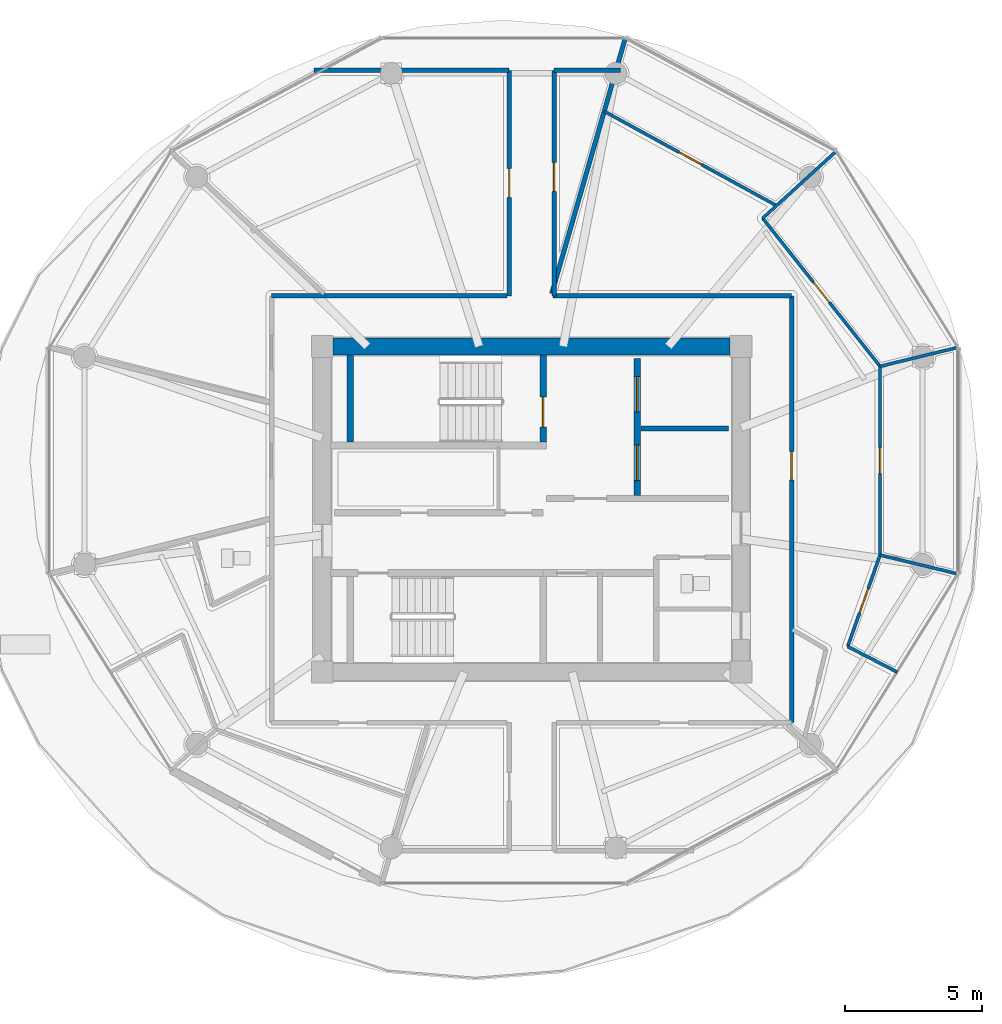
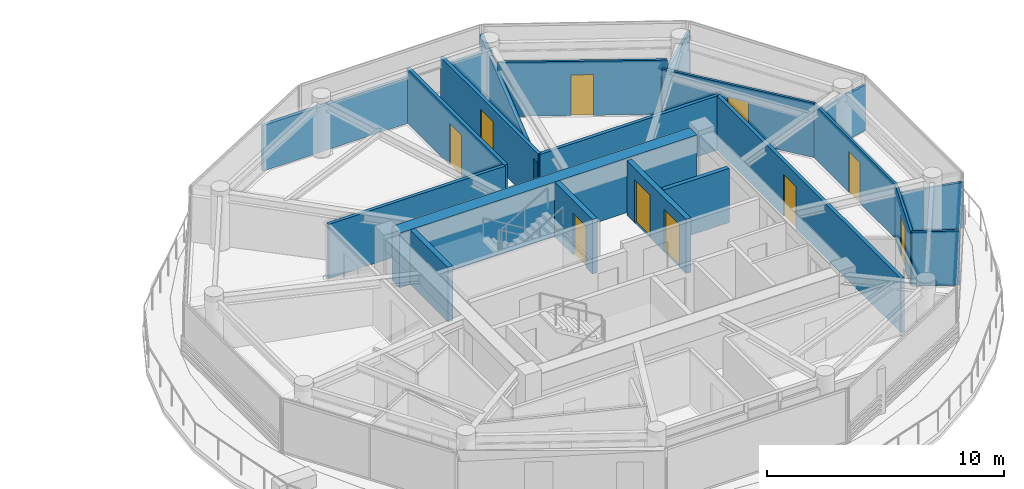
# One storey, part 17 of 28: 21 walls, 10 doors, 10 openings.
"""IFC4 building model written with IfcOpenShell, lengths in metres."""

from ifc_helpers import new_model, si_unit, direction, frame, frame_2d, origin, place, context, subcontext, project, spatial, rectangle, extrude, source, transform, mapped, material, layer, layer_set, type_object, type_shapes, element, fill, save


model = new_model("IFC4")

# Units and contexts
model_context = context("Model", 3, precision=1e-05, world=origin(), true_north=direction((0.0, 1.0)))
body_context = subcontext(model_context, "Body", "Model", "MODEL_VIEW")
ifc_project = project(units=[si_unit("LENGTHUNIT", "METRE"), si_unit("AREAUNIT", "SQUARE_METRE"), si_unit("VOLUMEUNIT", "CUBIC_METRE"), si_unit("PLANEANGLEUNIT", "RADIAN"), si_unit("MASSUNIT", "GRAM", prefix="KILO")], contexts=[model_context])

# Site, building, storey
site_placement = place(None, origin())
site = spatial("IfcSite", under=ifc_project, at=site_placement, CompositionType="ELEMENT")
building_placement = place(site_placement, origin())
building = spatial("IfcBuilding", under=site, at=building_placement, Name="Norrkilde Senior Care Towers", CompositionType="ELEMENT")
storey_placement = place(building_placement, frame((0.0, 0.0, 134.300048828125)))
storey = spatial("IfcBuildingStorey", under=building, at=storey_placement, Name="L41", CompositionType="ELEMENT", Elevation=134.300048828125)

# Walls
ifc_material_1 = material(Name="Concrete C50/60", Category="concrete")
ifc_layer_1 = layer(ifc_material_1, 0.6201171875)
ifc_layer_set_1 = layer_set([ifc_layer_1], Name="Concrete C50/60")
wall_type_1 = type_object("IfcWallType", Name="Core Shear Wall Z3 620", PredefinedType="SHEAR", material=ifc_layer_set_1)
shared_shape_1 = source(origin(), body_context, "Body", "SweptSolid", [
    extrude(rectangle(XDim=14.5, YDim=0.6201171875, at=frame_2d((7.25, 0.0))), origin(), (0.0, 0.0, 1.0), 2.81005859375),
])
type_shapes(wall_type_1, [shared_shape_1])
wall_1_placement = place(storey_placement, frame((20.75, 5.949951171875, 0.0), z_axis=(0.0, 0.0, 1.0), x_axis=(1.0, 0.0, 0.0)))
element("IfcWall", 1, at=wall_1_placement, inside=storey, type_object=wall_type_1, Name="L41 Core E North Shear Wall", PredefinedType="SHEAR", context=body_context, shape_type="MappedRepresentation", body=[
    mapped(shared_shape_1, transform((0.0, 0.0, 0.0), x_axis=(1.0, 0.0, 0.0), y_axis=(0.0, 1.0, 0.0), z_axis=(0.0, 0.0, 1.0), scale=1.0)),
])
ifc_material_2 = material(Name="Concrete C45/55", Category="concrete")
ifc_layer_2 = layer(ifc_material_2, 0.239990234375)
ifc_layer_set_2 = layer_set([ifc_layer_2], Name="Concrete C45/55")
wall_type_2 = type_object("IfcWallType", Name="Shaft and Stair Enclosure Wall 240", PredefinedType="PARTITIONING", material=ifc_layer_set_2)
shared_shape_2 = source(origin(), body_context, "Body", "SweptSolid", [
    extrude(rectangle(XDim=3.18994140625, YDim=0.239990234375, at=frame_2d((1.594970703125, 0.0))), origin(), (0.0, 0.0, 1.0), 2.81005859375),
])
type_shapes(wall_type_2, [shared_shape_2])
wall_2_placement = place(storey_placement, frame((21.3798828125, 2.449951171875, 0.0), z_axis=(0.0, 0.0, 1.0), x_axis=(0.0, 1.0, 0.0)))
element("IfcWall", 2, at=wall_2_placement, inside=storey, type_object=wall_type_2, Name="WL-INT-L41-E-ST1W", PredefinedType="PARTITIONING", context=body_context, shape_type="MappedRepresentation", body=[
    mapped(shared_shape_2, transform((0.0, 0.0, 0.0), x_axis=(1.0, 0.0, 0.0), y_axis=(0.0, 1.0, 0.0), z_axis=(0.0, 0.0, 1.0), scale=1.0)),
])

# Wall, opening, door
wall_3_placement = place(storey_placement, frame((28.419921875, 2.449951171875, 0.0), z_axis=(0.0, 0.0, 1.0), x_axis=(0.0, 1.0, 0.0)))
wall_3 = element("IfcWall", 3, at=wall_3_placement, inside=storey, type_object=wall_type_2, Name="WL-INT-L41-E-ST1E", PredefinedType="PARTITIONING", context=body_context, shape_type="MappedRepresentation", body=[
    mapped(shared_shape_2, transform((0.0, 0.0, 0.0), x_axis=(1.0, 0.0, 0.0), y_axis=(0.0, 1.0, 0.0), z_axis=(0.0, 0.0, 1.0), scale=1.0)),
])
opening_1_placement = place(wall_3_placement, frame((0.550048828125, 0.0, 0.0)))
opening_1 = element("IfcOpeningElement", 4, at=opening_1_placement, cuts=wall_3, Name="Opening D-03", PredefinedType="OPENING", context=body_context, shape_type="SweptSolid", body=[
    extrude(rectangle(XDim=1.10009765625, YDim=2.14990234375, at=frame_2d((0.550048828125, 1.074951171875))), frame((0.0, 0.1298828125, 0.0), z_axis=(0.0, -1.0, 0.0), x_axis=(1.0, 0.0, 0.0)), (0.0, 0.0, 1.0), 0.260009765625),
])
ifc_material_3 = material(Name="Galvanised Painted Steel", Category="steel")
door_type_1 = type_object("IfcDoorType", Name="Stairwell Protected Fire Door 1100x2150", OperationType="NOTDEFINED", PredefinedType="DOOR", material=ifc_material_3)
shared_shape_3 = source(origin(), body_context, "Body", "SweptSolid", [
    extrude(rectangle(XDim=1.10009765625, YDim=2.14990234375, at=frame_2d((0.550048828125, 1.074951171875))), frame((0.0, 0.02490234375, 0.0), z_axis=(0.0, -1.0, 0.0), x_axis=(1.0, 0.0, 0.0)), (0.0, 0.0, 1.0), 0.050048828125),
])
type_shapes(door_type_1, [shared_shape_3])
door_1_placement = place(opening_1_placement, origin())
door_1 = element("IfcDoor", 5, at=door_1_placement, inside=storey, type_object=door_type_1, Name="L41 Stair E1 Fire Door", OperationType="SINGLE_SWING_LEFT", OverallHeight=2.14990234375, OverallWidth=1.10009765625, PredefinedType="DOOR", context=body_context, shape_type="MappedRepresentation", body=[
    mapped(shared_shape_3, transform((0.0, 0.0, 0.0), x_axis=(1.0, 0.0, 0.0), y_axis=(0.0, 1.0, 0.0), z_axis=(0.0, 0.0, 1.0), scale=1.0)),
])
fill(opening_1, door_1)

# Wall, openings, doors
ifc_layer_3 = layer(ifc_material_2, 0.239990234375)
ifc_layer_set_3 = layer_set([ifc_layer_3], Name="Concrete C45/55")
wall_type_3 = type_object("IfcWallType", Name="Lift and Plant Rated Enclosure Partition 240", PredefinedType="PARTITIONING", material=ifc_layer_set_3)
shared_shape_4 = source(origin(), body_context, "Body", "SweptSolid", [
    extrude(rectangle(XDim=5.0, YDim=0.239990234375, at=frame_2d((2.5, 0.0))), origin(), (0.0, 0.0, 1.0), 2.794921875),
])
type_shapes(wall_type_3, [shared_shape_4])
wall_4_placement = place(storey_placement, frame((31.860107421875, 0.5, 0.0), z_axis=(0.0, 0.0, 1.0), x_axis=(0.0, 1.0, 0.0)))
wall_4 = element("IfcWall", 6, at=wall_4_placement, inside=storey, type_object=wall_type_3, Name="WL-INT-L41-E-FFLE", PredefinedType="PARTITIONING", context=body_context, shape_type="MappedRepresentation", body=[
    mapped(shared_shape_4, transform((0.0, 0.0, 0.0), x_axis=(1.0, 0.0, 0.0), y_axis=(0.0, 1.0, 0.0), z_axis=(0.0, 0.0, 1.0), scale=1.0)),
])
opening_2_placement = place(wall_4_placement, frame((3.050048828125, 0.0, 0.0)))
opening_2 = element("IfcOpeningElement", 7, at=opening_2_placement, cuts=wall_4, Name="Opening LD-02", PredefinedType="OPENING", context=body_context, shape_type="SweptSolid", body=[
    extrude(rectangle(XDim=1.300048828125, YDim=2.199951171875, at=frame_2d((0.64990234375, 1.10009765625))), frame((0.0, 0.1298828125, 0.0), z_axis=(0.0, -1.0, 0.0), x_axis=(1.0, 0.0, 0.0)), (0.0, 0.0, 1.0), 0.260009765625),
])
opening_3_placement = place(wall_4_placement, frame((0.550048828125, 0.0, 0.0)))
opening_3 = element("IfcOpeningElement", 8, at=opening_3_placement, cuts=wall_4, Name="Opening LD-02", PredefinedType="OPENING", context=body_context, shape_type="SweptSolid", body=[
    extrude(rectangle(XDim=1.300048828125, YDim=2.199951171875, at=frame_2d((0.64990234375, 1.10009765625))), frame((0.0, 0.1298828125, 0.0), z_axis=(0.0, -1.0, 0.0), x_axis=(1.0, 0.0, 0.0)), (0.0, 0.0, 1.0), 0.260009765625),
])
ifc_material_4 = material(Name="Stainless Steel", Category="steel")
door_type_2 = type_object("IfcDoorType", Name="Stretcher and FFL Landing Sliding Door 1300x2200", OperationType="NOTDEFINED", PredefinedType="DOOR", material=ifc_material_4)
shared_shape_5 = source(origin(), body_context, "Body", "SweptSolid", [
    extrude(rectangle(XDim=1.300048828125, YDim=2.199951171875, at=frame_2d((0.64990234375, 1.10009765625))), frame((0.0, 0.02490234375, 0.0), z_axis=(0.0, -1.0, 0.0), x_axis=(1.0, 0.0, 0.0)), (0.0, 0.0, 1.0), 0.050048828125),
])
type_shapes(door_type_2, [shared_shape_5])
door_2_placement = place(opening_2_placement, origin())
door_2 = element("IfcDoor", 9, at=door_2_placement, inside=storey, type_object=door_type_2, Name="L41 Firefighting Lift E1 Landing Door", OperationType="SLIDING_TO_LEFT", OverallHeight=2.199951171875, OverallWidth=1.300048828125, PredefinedType="DOOR", context=body_context, shape_type="MappedRepresentation", body=[
    mapped(shared_shape_5, transform((0.0, 0.0, 0.0), x_axis=(1.0, 0.0, 0.0), y_axis=(0.0, 1.0, 0.0), z_axis=(0.0, 0.0, 1.0), scale=1.0)),
])
fill(opening_2, door_2)
door_3_placement = place(opening_3_placement, origin())
door_3 = element("IfcDoor", 10, at=door_3_placement, inside=storey, type_object=door_type_2, Name="L41 Stretcher Lift E1 Landing Door", OperationType="SLIDING_TO_RIGHT", OverallHeight=2.199951171875, OverallWidth=1.300048828125, PredefinedType="DOOR", context=body_context, shape_type="MappedRepresentation", body=[
    mapped(shared_shape_5, transform((0.0, 0.0, 0.0), x_axis=(1.0, 0.0, 0.0), y_axis=(0.0, 1.0, 0.0), z_axis=(0.0, 0.0, 1.0), scale=1.0)),
])
fill(opening_3, door_3)

# Walls
ifc_layer_4 = layer(ifc_material_2, 0.199951171875)
ifc_layer_set_4 = layer_set([ifc_layer_4], Name="Concrete C45/55")
wall_type_4 = type_object("IfcWallType", Name="Shaft Division and Plant Partition 200", PredefinedType="PARTITIONING", material=ifc_layer_set_4)
shared_shape_6 = source(origin(), body_context, "Body", "SweptSolid", [
    extrude(rectangle(XDim=3.199951171875, YDim=0.199951171875, at=frame_2d((1.60009765625, 0.0))), origin(), (0.0, 0.0, 1.0), 2.794921875),
])
type_shapes(wall_type_4, [shared_shape_6])
wall_5_placement = place(storey_placement, frame((32.0, 2.949951171875, 0.0), z_axis=(0.0, 0.0, 1.0), x_axis=(1.0, 0.0, 0.0)))
element("IfcWall", 11, at=wall_5_placement, inside=storey, type_object=wall_type_4, Name="WL-INT-L41-E-FFLDIV", PredefinedType="PARTITIONING", context=body_context, shape_type="MappedRepresentation", body=[
    mapped(shared_shape_6, transform((0.0, 0.0, 0.0), x_axis=(1.0, 0.0, 0.0), y_axis=(0.0, 1.0, 0.0), z_axis=(0.0, 0.0, 1.0), scale=1.0)),
])
ifc_material_5 = material(Name="Gypsum Acoustic Board")
ifc_layer_5 = layer(ifc_material_5, 0.1650390625)
ifc_layer_set_5 = layer_set([ifc_layer_5], Name="Gypsum Acoustic Board")
wall_type_5 = type_object("IfcWallType", Name="Corridor Rated Partition 165", PredefinedType="PARTITIONING", material=ifc_layer_set_5)
shared_shape_7 = source(origin(), body_context, "Body", "SweptSolid", [
    extrude(rectangle(XDim=8.60009765625, YDim=0.1650390625, at=frame_2d((4.300048828125, 0.0))), origin(), (0.0, 0.0, 1.0), 2.794921875),
])
wall_6_placement = place(storey_placement, frame((18.5, 7.800048828125, 0.0), z_axis=(0.0, 0.0, 1.0), x_axis=(1.0, 0.0, 0.0)))
element("IfcWall", 12, at=wall_6_placement, inside=storey, type_object=wall_type_5, Name="WL-INT-L41-E-CRW-N-0", PredefinedType="PARTITIONING", context=body_context, shape_type="MappedRepresentation", body=[
    mapped(shared_shape_7, transform((0.0, 0.0, 0.0), x_axis=(1.0, 0.0, 0.0), y_axis=(0.0, 1.0, 0.0), z_axis=(0.0, 0.0, 1.0), scale=1.0)),
])

# Wall, opening, door
shared_shape_8 = source(origin(), body_context, "Body", "SweptSolid", [
    extrude(rectangle(XDim=15.60009765625, YDim=0.1650390625, at=frame_2d((7.800048828125, 0.0))), origin(), (0.0, 0.0, 1.0), 2.794921875),
])
wall_7_placement = place(storey_placement, frame((37.5, 7.800048828125, 0.0), z_axis=(0.0, 0.0, 1.0), x_axis=(0.0, -1.0, 0.0)))
wall_7 = element("IfcWall", 13, at=wall_7_placement, inside=storey, type_object=wall_type_5, Name="WL-INT-L41-E-CRW-E-0", PredefinedType="PARTITIONING", context=body_context, shape_type="MappedRepresentation", body=[
    mapped(shared_shape_8, transform((0.0, 0.0, 0.0), x_axis=(1.0, 0.0, 0.0), y_axis=(0.0, 1.0, 0.0), z_axis=(0.0, 0.0, 1.0), scale=1.0)),
])
opening_4_placement = place(wall_7_placement, frame((5.6865234375, 0.0, 0.0)))
opening_4 = element("IfcOpeningElement", 14, at=opening_4_placement, cuts=wall_7, Name="Opening D-06", PredefinedType="OPENING", context=body_context, shape_type="SweptSolid", body=[
    extrude(rectangle(XDim=1.050048828125, YDim=2.14990234375, at=frame_2d((0.52490234375, 1.074951171875))), frame((0.0, 0.092529296875, 0.0), z_axis=(0.0, -1.0, 0.0), x_axis=(1.0, 0.0, 0.0)), (0.0, 0.0, 1.0), 0.18505859375),
])
ifc_material_6 = material(Name="Nordic Ash Timber", Category="wood")
door_type_3 = type_object("IfcDoorType", Name="Apartment Entrance Fire Door 1050x2150", OperationType="NOTDEFINED", PredefinedType="DOOR", material=ifc_material_6)
shared_shape_9 = source(origin(), body_context, "Body", "SweptSolid", [
    extrude(rectangle(XDim=1.050048828125, YDim=2.14990234375, at=frame_2d((0.52490234375, 1.074951171875))), frame((0.0, 0.02490234375, 0.0), z_axis=(0.0, -1.0, 0.0), x_axis=(1.0, 0.0, 0.0)), (0.0, 0.0, 1.0), 0.050048828125),
])
type_shapes(door_type_3, [shared_shape_9])
door_4_placement = place(opening_4_placement, frame((1.050048828125, 0.0, 0.0), z_axis=(0.0, 0.0, 1.0), x_axis=(-1.0, 0.0, 0.0)))
door_4 = element("IfcDoor", 15, at=door_4_placement, inside=storey, type_object=door_type_3, Name="Apartment 41D Entrance Door", OperationType="SINGLE_SWING_LEFT", OverallHeight=2.14990234375, OverallWidth=1.050048828125, PredefinedType="DOOR", context=body_context, shape_type="MappedRepresentation", body=[
    mapped(shared_shape_9, transform((0.0, 0.0, 0.0), x_axis=(1.0, 0.0, 0.0), y_axis=(0.0, 1.0, 0.0), z_axis=(0.0, 0.0, 1.0), scale=1.0)),
])
fill(opening_4, door_4)

# Wall
shared_shape_10 = source(origin(), body_context, "Body", "SweptSolid", [
    extrude(rectangle(XDim=9.73046875, YDim=0.1650390625, at=frame_2d((4.865234375, 0.0))), origin(), (0.0, 0.0, 1.0), 2.344970703125),
])
wall_8_placement = place(storey_placement, frame((28.7333984375, 7.8798828125, 0.0), z_axis=(0.0, 0.0, 1.0), x_axis=(0.27679492614, 0.960929013436, 0.0)))
element("IfcWall", 16, at=wall_8_placement, inside=storey, type_object=wall_type_5, Name="WL-INT-L41-E-DEM-02-0", PredefinedType="PARTITIONING", context=body_context, shape_type="MappedRepresentation", body=[
    mapped(shared_shape_10, transform((0.0, 0.0, 0.0), x_axis=(1.0, 0.0, 0.0), y_axis=(0.0, 1.0, 0.0), z_axis=(0.0, 0.0, 1.0), scale=1.0)),
])

# Wall, opening, door
shared_shape_11 = source(origin(), body_context, "Body", "SweptSolid", [
    extrude(rectangle(XDim=8.2353515625, YDim=0.1650390625, at=frame_2d((4.11767578125, 0.0))), origin(), (0.0, 0.0, 1.0), 2.794921875),
])
wall_9_placement = place(storey_placement, frame((27.179931640625, 7.800048828125, 0.0), z_axis=(0.0, 0.0, 1.0), x_axis=(0.0, 1.0, 0.0)))
wall_9 = element("IfcWall", 17, at=wall_9_placement, inside=storey, type_object=wall_type_5, Name="WL-INT-L41-E-PKW-NWL", PredefinedType="PARTITIONING", context=body_context, shape_type="MappedRepresentation", body=[
    mapped(shared_shape_11, transform((0.0, 0.0, 0.0), x_axis=(1.0, 0.0, 0.0), y_axis=(0.0, 1.0, 0.0), z_axis=(0.0, 0.0, 1.0), scale=1.0)),
])
opening_5_placement = place(wall_9_placement, frame((3.5927734375, 0.0, 0.0)))
opening_5 = element("IfcOpeningElement", 18, at=opening_5_placement, cuts=wall_9, Name="Opening D-06", PredefinedType="OPENING", context=body_context, shape_type="SweptSolid", body=[
    extrude(rectangle(XDim=1.050048828125, YDim=2.14990234375, at=frame_2d((0.52490234375, 1.074951171875))), frame((0.0, 0.092529296875, 0.0), z_axis=(0.0, -1.0, 0.0), x_axis=(1.0, 0.0, 0.0)), (0.0, 0.0, 1.0), 0.18505859375),
])
door_5_placement = place(opening_5_placement, frame((1.050048828125, 0.0, 0.0), z_axis=(0.0, 0.0, 1.0), x_axis=(-1.0, 0.0, 0.0)))
door_5 = element("IfcDoor", 19, at=door_5_placement, inside=storey, type_object=door_type_3, Name="L41 Reading Lounge NWL Door", OperationType="SINGLE_SWING_RIGHT", OverallHeight=2.14990234375, OverallWidth=1.050048828125, PredefinedType="DOOR", context=body_context, shape_type="MappedRepresentation", body=[
    mapped(shared_shape_9, transform((0.0, 0.0, 0.0), x_axis=(1.0, 0.0, 0.0), y_axis=(0.0, 1.0, 0.0), z_axis=(0.0, 0.0, 1.0), scale=1.0)),
])
fill(opening_5, door_5)

wall_10_placement = place(storey_placement, frame((28.820068359375, 7.800048828125, 0.0), z_axis=(0.0, 0.0, 1.0), x_axis=(0.0, 1.0, 0.0)))
wall_10 = element("IfcWall", 20, at=wall_10_placement, inside=storey, type_object=wall_type_5, Name="WL-INT-L41-E-PKW-NEL", PredefinedType="PARTITIONING", context=body_context, shape_type="MappedRepresentation", body=[
    mapped(shared_shape_11, transform((0.0, 0.0, 0.0), x_axis=(1.0, 0.0, 0.0), y_axis=(0.0, 1.0, 0.0), z_axis=(0.0, 0.0, 1.0), scale=1.0)),
])
opening_6_placement = place(wall_10_placement, frame((3.81298828125, 0.0, 0.0)))
opening_6 = element("IfcOpeningElement", 21, at=opening_6_placement, cuts=wall_10, Name="Opening D-06", PredefinedType="OPENING", context=body_context, shape_type="SweptSolid", body=[
    extrude(rectangle(XDim=1.050048828125, YDim=2.14990234375, at=frame_2d((0.52490234375, 1.074951171875))), frame((0.0, 0.092529296875, 0.0), z_axis=(0.0, -1.0, 0.0), x_axis=(1.0, 0.0, 0.0)), (0.0, 0.0, 1.0), 0.18505859375),
])
door_6_placement = place(opening_6_placement, frame((1.050048828125, 0.0, 0.0), z_axis=(0.0, 0.0, 1.0), x_axis=(-1.0, 0.0, 0.0)))
door_6 = element("IfcDoor", 22, at=door_6_placement, inside=storey, type_object=door_type_3, Name="L41 Reading Lounge NEL Door", OperationType="SINGLE_SWING_RIGHT", OverallHeight=2.14990234375, OverallWidth=1.050048828125, PredefinedType="DOOR", context=body_context, shape_type="MappedRepresentation", body=[
    mapped(shared_shape_9, transform((0.0, 0.0, 0.0), x_axis=(1.0, 0.0, 0.0), y_axis=(0.0, 1.0, 0.0), z_axis=(0.0, 0.0, 1.0), scale=1.0)),
])
fill(opening_6, door_6)

# Walls
shared_shape_12 = source(origin(), body_context, "Body", "SweptSolid", [
    extrude(rectangle(XDim=2.418701171875, YDim=0.1650390625, at=frame_2d((1.20947265625, 0.0))), origin(), (0.0, 0.0, 1.0), 2.344970703125),
])
wall_11_placement = place(storey_placement, frame((28.820068359375, 16.035400390625, 0.0), z_axis=(0.0, 0.0, 1.0), x_axis=(1.0, 0.0, 0.0)))
element("IfcWall", 23, at=wall_11_placement, inside=storey, type_object=wall_type_5, Name="WL-INT-L41-E-PKH-NEL-0", PredefinedType="PARTITIONING", context=body_context, shape_type="MappedRepresentation", body=[
    mapped(shared_shape_12, transform((0.0, 0.0, 0.0), x_axis=(1.0, 0.0, 0.0), y_axis=(0.0, 1.0, 0.0), z_axis=(0.0, 0.0, 1.0), scale=1.0)),
])
shared_shape_13 = source(origin(), body_context, "Body", "SweptSolid", [
    extrude(rectangle(XDim=7.138916015625, YDim=0.1650390625, at=frame_2d((3.5693359375, 0.0))), origin(), (0.0, 0.0, 1.0), 2.344970703125),
])
wall_12_placement = place(storey_placement, frame((20.041015625, 16.035400390625, 0.0), z_axis=(0.0, 0.0, 1.0), x_axis=(1.0, 0.0, 0.0)))
element("IfcWall", 24, at=wall_12_placement, inside=storey, type_object=wall_type_5, Name="WL-INT-L41-E-PKH-NWL-0", PredefinedType="PARTITIONING", context=body_context, shape_type="MappedRepresentation", body=[
    mapped(shared_shape_13, transform((0.0, 0.0, 0.0), x_axis=(1.0, 0.0, 0.0), y_axis=(0.0, 1.0, 0.0), z_axis=(0.0, 0.0, 1.0), scale=1.0)),
])
shared_shape_14 = source(origin(), body_context, "Body", "SweptSolid", [
    extrude(rectangle(XDim=8.719482421875, YDim=0.1650390625, at=frame_2d((4.35986328125, 0.0))), origin(), (0.0, 0.0, 1.0), 2.794921875),
])
type_shapes(wall_type_5, [shared_shape_7, shared_shape_8, shared_shape_10, shared_shape_11, shared_shape_12, shared_shape_13, shared_shape_14])
wall_13_placement = place(storey_placement, frame((28.780517578125, 7.800048828125, 0.0), z_axis=(0.0, 0.0, 1.0), x_axis=(1.0, 0.0, 0.0)))
element("IfcWall", 25, at=wall_13_placement, inside=storey, type_object=wall_type_5, Name="WL-INT-L41-E-CRW-N-1", PredefinedType="PARTITIONING", context=body_context, shape_type="MappedRepresentation", body=[
    mapped(shared_shape_14, transform((0.0, 0.0, 0.0), x_axis=(1.0, 0.0, 0.0), y_axis=(0.0, 1.0, 0.0), z_axis=(0.0, 0.0, 1.0), scale=1.0)),
])

# Wall, opening, door
ifc_layer_6 = layer(ifc_material_5, 0.114990234375)
ifc_layer_set_6 = layer_set([ifc_layer_6], Name="Gypsum Acoustic Board")
wall_type_6 = type_object("IfcWallType", Name="Internal Room Partition 115", PredefinedType="PARTITIONING", material=ifc_layer_set_6)
shared_shape_15 = source(origin(), body_context, "Body", "SweptSolid", [
    extrude(rectangle(XDim=6.89697265625, YDim=0.114990234375, at=frame_2d((3.448486328125, 0.0))), origin(), (0.0, 0.0, 1.0), 2.794921875),
])
wall_14_placement = place(storey_placement, frame((40.73046875, -1.673095703125, 0.0), z_axis=(0.0, 0.0, 1.0), x_axis=(0.0, 1.0, 0.0)))
wall_14 = element("IfcWall", 26, at=wall_14_placement, inside=storey, type_object=wall_type_6, Name="WL-INT-L41-E-UBC-10-1", PredefinedType="PARTITIONING", context=body_context, shape_type="MappedRepresentation", body=[
    mapped(shared_shape_15, transform((0.0, 0.0, 0.0), x_axis=(1.0, 0.0, 0.0), y_axis=(0.0, 1.0, 0.0), z_axis=(0.0, 0.0, 1.0), scale=1.0)),
])
opening_7_placement = place(wall_14_placement, frame((2.973388671875, 0.0, 0.0)))
opening_7 = element("IfcOpeningElement", 27, at=opening_7_placement, cuts=wall_14, Name="Opening D-07", PredefinedType="OPENING", context=body_context, shape_type="SweptSolid", body=[
    extrude(rectangle(XDim=0.949951171875, YDim=2.10009765625, at=frame_2d((0.47509765625, 1.050048828125))), frame((0.0, 0.0673828125, 0.0), z_axis=(0.0, -1.0, 0.0), x_axis=(1.0, 0.0, 0.0)), (0.0, 0.0, 1.0), 0.135009765625),
])
door_type_4 = type_object("IfcDoorType", Name="Internal Suite Bedroom Door 950x2100", OperationType="NOTDEFINED", PredefinedType="DOOR", material=ifc_material_6)
shared_shape_16 = source(origin(), body_context, "Body", "SweptSolid", [
    extrude(rectangle(XDim=0.949951171875, YDim=2.10009765625, at=frame_2d((0.47509765625, 1.050048828125))), frame((0.0, 0.02490234375, 0.0), z_axis=(0.0, -1.0, 0.0), x_axis=(1.0, 0.0, 0.0)), (0.0, 0.0, 1.0), 0.050048828125),
])
type_shapes(door_type_4, [shared_shape_16])
door_7_placement = place(opening_7_placement, origin())
door_7 = element("IfcDoor", 28, at=door_7_placement, inside=storey, type_object=door_type_4, Name="Apartment 41D Bedroom 1 Door", OperationType="SINGLE_SWING_RIGHT", OverallHeight=2.10009765625, OverallWidth=0.949951171875, PredefinedType="DOOR", context=body_context, shape_type="MappedRepresentation", body=[
    mapped(shared_shape_16, transform((0.0, 0.0, 0.0), x_axis=(1.0, 0.0, 0.0), y_axis=(0.0, 1.0, 0.0), z_axis=(0.0, 0.0, 1.0), scale=1.0)),
])
fill(opening_7, door_7)

# Wall
shared_shape_17 = source(origin(), body_context, "Body", "SweptSolid", [
    extrude(rectangle(XDim=2.941162109375, YDim=0.114990234375, at=frame_2d((1.470703125, 0.0))), origin(), (0.0, 0.0, 1.0), 2.344970703125),
])
wall_15_placement = place(storey_placement, frame((40.73046875, -1.673095703125, 0.0), z_axis=(0.0, 0.0, 1.0), x_axis=(0.971874866371, -0.235497864357, 0.0)))
element("IfcWall", 29, at=wall_15_placement, inside=storey, type_object=wall_type_6, Name="WL-INT-L41-E-UBR-10-1", PredefinedType="PARTITIONING", context=body_context, shape_type="MappedRepresentation", body=[
    mapped(shared_shape_17, transform((0.0, 0.0, 0.0), x_axis=(1.0, 0.0, 0.0), y_axis=(0.0, 1.0, 0.0), z_axis=(0.0, 0.0, 1.0), scale=1.0)),
])

# Wall, opening, door
shared_shape_18 = source(origin(), body_context, "Body", "SweptSolid", [
    extrude(rectangle(XDim=6.902099609375, YDim=0.114990234375, at=frame_2d((3.451171875, 0.0))), origin(), (0.0, 0.0, 1.0), 2.794921875),
])
wall_16_placement = place(storey_placement, frame((40.72900390625, 5.223388671875, 0.0), z_axis=(0.0, 0.0, 1.0), x_axis=(-0.62123371778, 0.783625336429, 0.0)))
wall_16 = element("IfcWall", 30, at=wall_16_placement, inside=storey, type_object=wall_type_6, Name="WL-INT-L41-E-UBC-10-2", PredefinedType="PARTITIONING", context=body_context, shape_type="MappedRepresentation", body=[
    mapped(shared_shape_18, transform((0.0, 0.0, 0.0), x_axis=(1.0, 0.0, 0.0), y_axis=(0.0, 1.0, 0.0), z_axis=(0.0, 0.0, 1.0), scale=1.0)),
])
opening_8_placement = place(wall_16_placement, frame((2.97607421875, 0.0, 0.0)))
opening_8 = element("IfcOpeningElement", 31, at=opening_8_placement, cuts=wall_16, Name="Opening D-07", PredefinedType="OPENING", context=body_context, shape_type="SweptSolid", body=[
    extrude(rectangle(XDim=0.949951171875, YDim=2.10009765625, at=frame_2d((0.47509765625, 1.050048828125))), frame((0.0, 0.0673828125, 0.0), z_axis=(0.0, -1.0, 0.0), x_axis=(1.0, 0.0, 0.0)), (0.0, 0.0, 1.0), 0.135009765625),
])
door_8_placement = place(opening_8_placement, frame((0.949951171875, 0.0, 0.0), z_axis=(0.0, 0.0, 1.0), x_axis=(-1.0, 0.0, 0.0)))
door_8 = element("IfcDoor", 32, at=door_8_placement, inside=storey, type_object=door_type_4, Name="Apartment 41D Bedroom 2 Door", OperationType="SINGLE_SWING_LEFT", OverallHeight=2.10009765625, OverallWidth=0.949951171875, PredefinedType="DOOR", context=body_context, shape_type="MappedRepresentation", body=[
    mapped(shared_shape_16, transform((0.0, 0.0, 0.0), x_axis=(1.0, 0.0, 0.0), y_axis=(0.0, 1.0, 0.0), z_axis=(0.0, 0.0, 1.0), scale=1.0)),
])
fill(opening_8, door_8)

# Wall
shared_shape_19 = source(origin(), body_context, "Body", "SweptSolid", [
    extrude(rectangle(XDim=2.942626953125, YDim=0.114990234375, at=frame_2d((1.47119140625, 0.0))), origin(), (0.0, 0.0, 1.0), 2.344970703125),
])
wall_17_placement = place(storey_placement, frame((40.72900390625, 5.223388671875, 0.0), z_axis=(0.0, 0.0, 1.0), x_axis=(0.971864495214, 0.235540660911, 0.0)))
element("IfcWall", 33, at=wall_17_placement, inside=storey, type_object=wall_type_6, Name="WL-INT-L41-E-UBR-10-2", PredefinedType="PARTITIONING", context=body_context, shape_type="MappedRepresentation", body=[
    mapped(shared_shape_19, transform((0.0, 0.0, 0.0), x_axis=(1.0, 0.0, 0.0), y_axis=(0.0, 1.0, 0.0), z_axis=(0.0, 0.0, 1.0), scale=1.0)),
])

# Wall, opening, door
shared_shape_20 = source(origin(), body_context, "Body", "SweptSolid", [
    extrude(rectangle(XDim=7.166748046875, YDim=0.114990234375, at=frame_2d((3.58349609375, 0.0))), origin(), (0.0, 0.0, 1.0), 2.794921875),
])
wall_18_placement = place(storey_placement, frame((36.93896484375, 11.097900390625, 0.0), z_axis=(0.0, 0.0, 1.0), x_axis=(-0.8771628907, 0.480192943699, 0.0)))
wall_18 = element("IfcWall", 34, at=wall_18_placement, inside=storey, type_object=wall_type_6, Name="WL-INT-L41-E-UBC-10-3", PredefinedType="PARTITIONING", context=body_context, shape_type="MappedRepresentation", body=[
    mapped(shared_shape_20, transform((0.0, 0.0, 0.0), x_axis=(1.0, 0.0, 0.0), y_axis=(0.0, 1.0, 0.0), z_axis=(0.0, 0.0, 1.0), scale=1.0)),
])
opening_9_placement = place(wall_18_placement, frame((3.1083984375, 0.0, 0.0)))
opening_9 = element("IfcOpeningElement", 35, at=opening_9_placement, cuts=wall_18, Name="Opening D-07", PredefinedType="OPENING", context=body_context, shape_type="SweptSolid", body=[
    extrude(rectangle(XDim=0.949951171875, YDim=2.10009765625, at=frame_2d((0.47509765625, 1.050048828125))), frame((0.0, 0.0673828125, 0.0), z_axis=(0.0, -1.0, 0.0), x_axis=(1.0, 0.0, 0.0)), (0.0, 0.0, 1.0), 0.135009765625),
])
door_9_placement = place(opening_9_placement, origin())
door_9 = element("IfcDoor", 36, at=door_9_placement, inside=storey, type_object=door_type_4, Name="Apartment 41D Bedroom 3 Door", OperationType="SINGLE_SWING_RIGHT", OverallHeight=2.10009765625, OverallWidth=0.949951171875, PredefinedType="DOOR", context=body_context, shape_type="MappedRepresentation", body=[
    mapped(shared_shape_16, transform((0.0, 0.0, 0.0), x_axis=(1.0, 0.0, 0.0), y_axis=(0.0, 1.0, 0.0), z_axis=(0.0, 0.0, 1.0), scale=1.0)),
])
fill(opening_9, door_9)

# Walls
shared_shape_21 = source(origin(), body_context, "Body", "SweptSolid", [
    extrude(rectangle(XDim=3.660400390625, YDim=0.114990234375, at=frame_2d((1.830078125, 0.0))), origin(), (0.0, 0.0, 1.0), 2.344970703125),
])
wall_19_placement = place(storey_placement, frame((36.431884765625, 10.62353515625, 0.0), z_axis=(0.0, 0.0, 1.0), x_axis=(0.73909744987, 0.673598515137, 0.0)))
element("IfcWall", 37, at=wall_19_placement, inside=storey, type_object=wall_type_6, Name="WL-INT-L41-E-UBR-10-3", PredefinedType="PARTITIONING", context=body_context, shape_type="MappedRepresentation", body=[
    mapped(shared_shape_21, transform((0.0, 0.0, 0.0), x_axis=(1.0, 0.0, 0.0), y_axis=(0.0, 1.0, 0.0), z_axis=(0.0, 0.0, 1.0), scale=1.0)),
])
shared_shape_22 = source(origin(), body_context, "Body", "SweptSolid", [
    extrude(rectangle(XDim=2.04345703125, YDim=0.114990234375, at=frame_2d((1.021728515625, 0.0))), origin(), (0.0, 0.0, 1.0), 2.794921875),
])
wall_20_placement = place(storey_placement, frame((39.546875, -5.015625, 0.0), z_axis=(0.0, 0.0, 1.0), x_axis=(0.888790240023, -0.45831420362, 0.0)))
element("IfcWall", 38, at=wall_20_placement, inside=storey, type_object=wall_type_6, Name="WL-INT-L41-E-UKTS-10", PredefinedType="PARTITIONING", context=body_context, shape_type="MappedRepresentation", body=[
    mapped(shared_shape_22, transform((0.0, 0.0, 0.0), x_axis=(1.0, 0.0, 0.0), y_axis=(0.0, 1.0, 0.0), z_axis=(0.0, 0.0, 1.0), scale=1.0)),
])

# Wall, opening, door
shared_shape_23 = source(origin(), body_context, "Body", "SweptSolid", [
    extrude(rectangle(XDim=3.545654296875, YDim=0.114990234375, at=frame_2d((1.77294921875, 0.0))), origin(), (0.0, 0.0, 1.0), 2.794921875),
])
type_shapes(wall_type_6, [shared_shape_15, shared_shape_17, shared_shape_18, shared_shape_19, shared_shape_20, shared_shape_21, shared_shape_22, shared_shape_23])
wall_21_placement = place(storey_placement, frame((39.546875, -5.015625, 0.0), z_axis=(0.0, 0.0, 1.0), x_axis=(0.333403534043, 0.942784218943, 0.0)))
wall_21 = element("IfcWall", 39, at=wall_21_placement, inside=storey, type_object=wall_type_6, Name="WL-INT-L41-E-UKTF-10", PredefinedType="PARTITIONING", context=body_context, shape_type="MappedRepresentation", body=[
    mapped(shared_shape_23, transform((0.0, 0.0, 0.0), x_axis=(1.0, 0.0, 0.0), y_axis=(0.0, 1.0, 0.0), z_axis=(0.0, 0.0, 1.0), scale=1.0)),
])
opening_10_placement = place(wall_21_placement, frame((1.2978515625, 0.0, 0.0)))
opening_10 = element("IfcOpeningElement", 40, at=opening_10_placement, cuts=wall_21, Name="Opening D-07", PredefinedType="OPENING", context=body_context, shape_type="SweptSolid", body=[
    extrude(rectangle(XDim=0.949951171875, YDim=2.10009765625, at=frame_2d((0.47509765625, 1.050048828125))), frame((0.0, 0.0673828125, 0.0), z_axis=(0.0, -1.0, 0.0), x_axis=(1.0, 0.0, 0.0)), (0.0, 0.0, 1.0), 0.135009765625),
])
door_10_placement = place(opening_10_placement, frame((0.949951171875, 0.0, 0.0), z_axis=(0.0, 0.0, 1.0), x_axis=(-1.0, 0.0, 0.0)))
door_10 = element("IfcDoor", 41, at=door_10_placement, inside=storey, type_object=door_type_4, Name="Apartment 41D Kitchen Door", OperationType="SINGLE_SWING_LEFT", OverallHeight=2.10009765625, OverallWidth=0.949951171875, PredefinedType="DOOR", context=body_context, shape_type="MappedRepresentation", body=[
    mapped(shared_shape_16, transform((0.0, 0.0, 0.0), x_axis=(1.0, 0.0, 0.0), y_axis=(0.0, 1.0, 0.0), z_axis=(0.0, 0.0, 1.0), scale=1.0)),
])
fill(opening_10, door_10)

save(model, "model.ifc")
